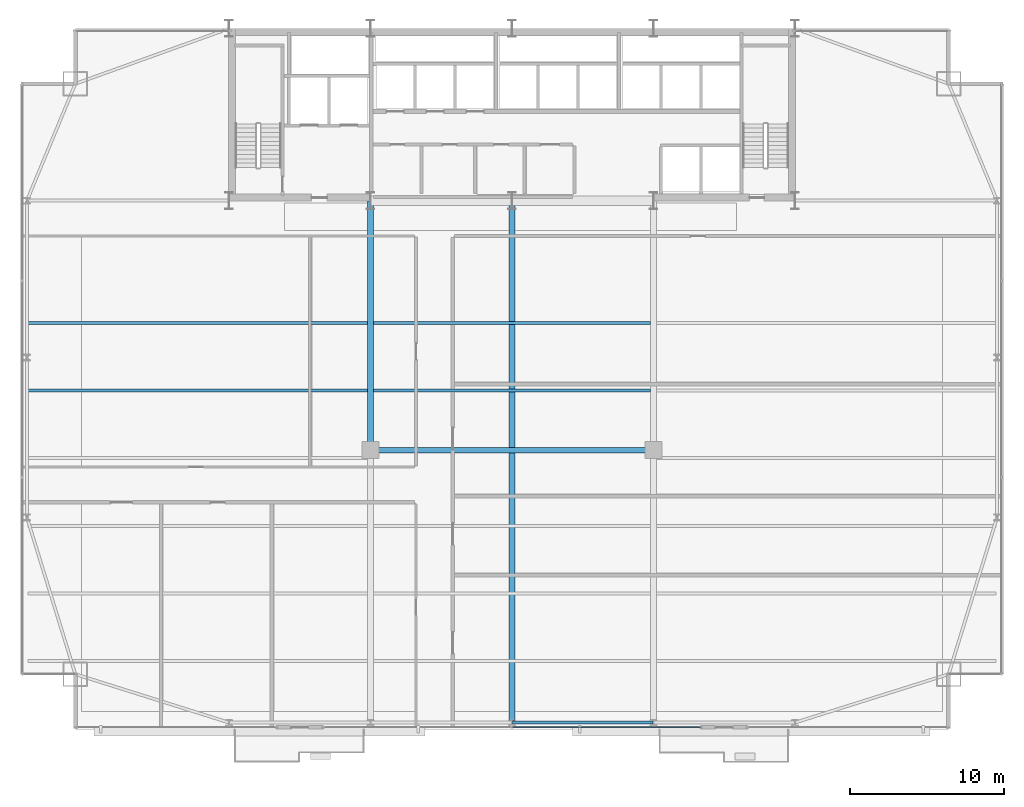
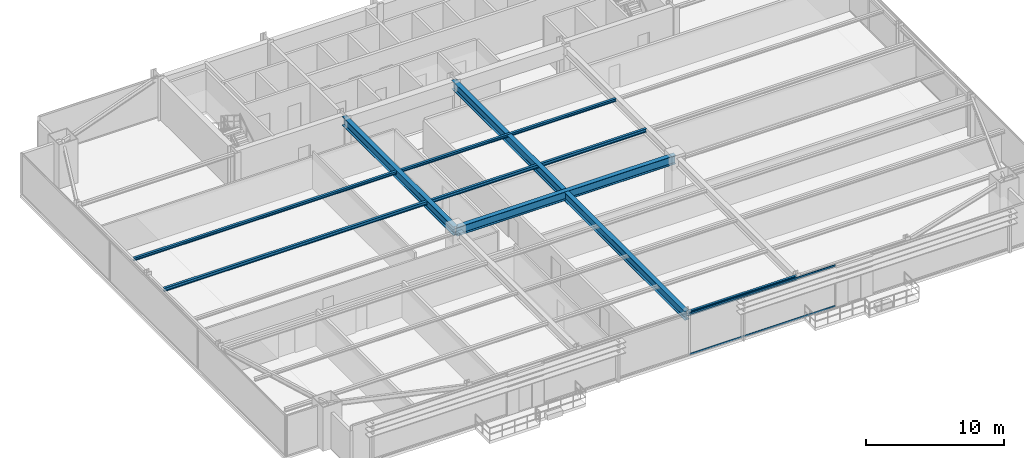
# One storey, part 11 of 29: 8 beams, 2 members, 1 element without a shape of its own.
"""IFC4 building model written with IfcOpenShell, lengths in metres."""

import ifcopenshell
import ifcopenshell.guid

model = None  # the IFC model being written
_history = None  # IfcOwnerHistory: only IFC2X3 demands one
_inside = {}  # id of a spatial element -> (the spatial element, [elements in it])
_under = {}  # id of a project, library or spatial element -> (it, [spatial elements below it])
_declared = {}  # id of a project -> (the project, [libraries it declares])
_typed = {}  # id of a type object -> (the type object, [elements of that type])
_made_of = {}  # id of a material, layer set ... -> (it, [elements and type objects made of it])


def new_model(schema):
    """Start an empty IFC model of exactly this schema.

    Asked for "IFC4X3", IfcOpenShell would pick the latest addendum, in which some entities
    have other attributes; the version numbers below select the first issue.
    IFC2X3 requires an IfcOwnerHistory on every rooted entity: one is made here for all.
    """
    global model, _history
    if schema == "IFC4X3":
        model = ifcopenshell.file(schema_version=(4, 3, 0, 0))
    else:
        model = ifcopenshell.file(schema=schema)
    _inside.clear()
    _under.clear()
    _declared.clear()
    _typed.clear()
    _made_of.clear()
    _history = None
    if model.schema == "IFC2X3":
        org = make("IfcOrganization", Name="unknown")
        user = make(
            "IfcPersonAndOrganization",
            ThePerson=make("IfcPerson", FamilyName="unknown"),
            TheOrganization=org,
        )
        app = make(
            "IfcApplication",
            ApplicationDeveloper=org,
            Version="unknown",
            ApplicationFullName="unknown",
            ApplicationIdentifier="unknown",
        )
        _history = make(
            "IfcOwnerHistory",
            OwningUser=user,
            OwningApplication=app,
            ChangeAction="ADDED",
            CreationDate=0,
        )
    return model


def make(cls, **values):
    """One entity of the class cls with the attributes given. An attribute that is None is left unset."""
    return model.create_entity(
        cls, **{name: value for name, value in values.items() if value is not None}
    )


def rooted(cls, **values):
    """An entity with a GlobalId (a new one), such as an element, a storey or a relation."""
    return make(cls, GlobalId=ifcopenshell.guid.new(), OwnerHistory=_history, **values)


def si_unit(unit_type, name, prefix=None):
    """IfcSIUnit, for example si_unit("LENGTHUNIT", "METRE", prefix="MILLI")."""
    return make("IfcSIUnit", UnitType=unit_type, Prefix=prefix, Name=name)


def assignment(units):
    """IfcUnitAssignment: the units of a project."""
    return None if units is None else make("IfcUnitAssignment", Units=units)


def point(xyz):
    """IfcCartesianPoint."""
    return None if xyz is None else make("IfcCartesianPoint", Coordinates=xyz)


def direction(xyz):
    """IfcDirection."""
    return None if xyz is None else make("IfcDirection", DirectionRatios=xyz)


def frame(location, z_axis=None, x_axis=None):
    """IfcAxis2Placement3D, a coordinate frame: its origin and axes. An axis left out is left unset."""
    return make(
        "IfcAxis2Placement3D",
        Location=point(location),
        Axis=direction(z_axis),
        RefDirection=direction(x_axis),
    )


def frame_2d(location, x_axis=None):
    """IfcAxis2Placement2D, a coordinate frame in the plane: its origin and x axis."""
    return make(
        "IfcAxis2Placement2D", Location=point(location), RefDirection=direction(x_axis)
    )


def origin():
    """The frame at (0, 0, 0) with its axes left unset."""
    return frame((0.0, 0.0, 0.0))


def origin_2d():
    """The frame at (0, 0) in the plane with its x axis left unset."""
    return frame_2d((0.0, 0.0))


def place(relative_to, where):
    """IfcLocalPlacement: puts the frame where relative to a parent placement (None: the world)."""
    return make(
        "IfcLocalPlacement", PlacementRelTo=relative_to, RelativePlacement=where
    )


def context(
    kind, dimensions, precision=None, world=None, true_north=None, identifier=None
):
    """IfcGeometricRepresentationContext, for example the 3D "Model" context."""
    return make(
        "IfcGeometricRepresentationContext",
        ContextIdentifier=identifier,
        ContextType=kind,
        CoordinateSpaceDimension=dimensions,
        Precision=precision,
        WorldCoordinateSystem=world,
        TrueNorth=true_north,
    )


def subcontext(parent, identifier, kind, view, scale=None):
    """IfcGeometricRepresentationSubContext, for example "Body" below "Model"."""
    return make(
        "IfcGeometricRepresentationSubContext",
        ContextIdentifier=identifier,
        ContextType=kind,
        ParentContext=parent,
        TargetScale=scale,
        TargetView=view,
    )


def project(units=None, contexts=None):
    """IfcProject with its units and contexts."""
    return rooted(
        "IfcProject",
        Name="project",
        RepresentationContexts=contexts,
        UnitsInContext=assignment(units),
    )


def spatial(cls, under=None, at=None, **own):
    """A site, building, storey or space (cls), placed at a placement, below another one or the project."""
    s = rooted(cls, ObjectPlacement=at, **own)
    if under is not None:
        _under.setdefault(under.id(), (under, []))[1].append(s)
    return s


def profile(cls, at=None, kind="AREA", **sizes):
    """A parametric profile (cls). Its sizes go by their IFC names, for example OverallWidth=200.0."""
    return make(cls, ProfileType=kind, Position=at, **sizes)


def hollow_rectangle(**sizes):
    """IfcRectangleHollowProfileDef."""
    return profile("IfcRectangleHollowProfileDef", **sizes)


def i_section(**sizes):
    """IfcIShapeProfileDef."""
    return profile("IfcIShapeProfileDef", **sizes)


def extrude(swept, where, along, depth):
    """IfcExtrudedAreaSolid: the profile swept, set in the frame where, extruded along a direction by depth."""
    return make(
        "IfcExtrudedAreaSolid",
        SweptArea=swept,
        Position=where,
        ExtrudedDirection=direction(along),
        Depth=depth,
    )


def shape(context_of_items, identifier, shape_type, items):
    """IfcShapeRepresentation: the items that make up one representation, for example the "Body"."""
    return make(
        "IfcShapeRepresentation",
        ContextOfItems=context_of_items,
        RepresentationIdentifier=identifier,
        RepresentationType=shape_type,
        Items=items,
    )


def source(mapping_origin, context_of_items, identifier, shape_type, items):
    """IfcRepresentationMap: a shape defined once, which mapped items show again and again."""
    return make(
        "IfcRepresentationMap",
        MappingOrigin=mapping_origin,
        MappedRepresentation=shape(context_of_items, identifier, shape_type, items),
    )


def transform(
    local_origin,
    x_axis=None,
    y_axis=None,
    z_axis=None,
    scale=None,
    scale2=None,
    scale3=None,
    uniform=True,
):
    """IfcCartesianTransformationOperator3D, or its non-uniform kind. x_axis, y_axis, z_axis: its Axis1, 2, 3."""
    if uniform:
        return make(
            "IfcCartesianTransformationOperator3D",
            Axis1=direction(x_axis),
            Axis2=direction(y_axis),
            LocalOrigin=point(local_origin),
            Scale=scale,
            Axis3=direction(z_axis),
        )
    return make(
        "IfcCartesianTransformationOperator3DnonUniform",
        Axis1=direction(x_axis),
        Axis2=direction(y_axis),
        LocalOrigin=point(local_origin),
        Scale=scale,
        Axis3=direction(z_axis),
        Scale2=scale2,
        Scale3=scale3,
    )


def mapped(mapping_source, mapping_target):
    """IfcMappedItem: shows the shape of a source again, moved by a transform."""
    return make(
        "IfcMappedItem", MappingSource=mapping_source, MappingTarget=mapping_target
    )


def material(Name=None, Category=None):
    """IfcMaterial."""
    return make("IfcMaterial", Name=Name, Category=Category)


def layer(
    of_material, thickness, ventilated=None, Name=None, Category=None, Priority=None
):
    """IfcMaterialLayer: one layer of a wall or slab, of a material (None: an air gap)."""
    return make(
        "IfcMaterialLayer",
        Material=of_material,
        LayerThickness=thickness,
        IsVentilated=ventilated,
        Name=Name,
        Category=Category,
        Priority=Priority,
    )


def layer_set(layers, Name=None):
    """IfcMaterialLayerSet."""
    return make("IfcMaterialLayerSet", MaterialLayers=layers, LayerSetName=Name)


def material_profile(
    of_material, cross_section, Name=None, Category=None, Priority=None
):
    """IfcMaterialProfile: a cross section and its material."""
    return make(
        "IfcMaterialProfile",
        Name=Name,
        Material=of_material,
        Profile=cross_section,
        Priority=Priority,
        Category=Category,
    )


def profile_set(profiles, Name=None, composite=None):
    """IfcMaterialProfileSet."""
    return make(
        "IfcMaterialProfileSet",
        Name=Name,
        MaterialProfiles=profiles,
        CompositeProfile=composite,
    )


def made_of(thing, what):
    """Note that an element or type object is made of a material, layer set ...; save() writes the relation."""
    if what is not None:
        _made_of.setdefault(what.id(), (what, []))[1].append(thing)
    return thing


def type_object(cls, material=None, **own):
    """A type object (cls), such as IfcWallType, which elements share."""
    return made_of(rooted(cls, **own), material)


def type_shapes(of_type, sources):
    """Give a type object the sources (RepresentationMaps) that its elements show as mapped items."""
    of_type.RepresentationMaps = sources


def element(
    cls,
    number,
    at=None,
    inside=None,
    cuts=None,
    type_object=None,
    material=None,
    context=None,
    identifier="Body",
    shape_type=None,
    held_by="IfcProductDefinitionShape",
    body=None,
    shapes=None,
    **own,
):
    """One element of the class cls, such as IfcWall. Its Tag is "e" and its number.

    at: its placement. inside: the storey or other place that contains it. cuts: it is an
    opening in that element (IfcRelVoidsElement). A single representation is given by context,
    identifier, shape_type and body (its items); several are given by shapes. held_by: the class
    of the entity that holds the representations. save() writes the other relations.
    """
    e = rooted(cls, Tag="e%d" % number, ObjectPlacement=at, **own)
    if body is not None:
        shapes = [shape(context, identifier, shape_type, body)]
    if shapes is not None:
        e.Representation = make(held_by, Representations=shapes)
    if inside is not None:
        _inside.setdefault(inside.id(), (inside, []))[1].append(e)
    if cuts is not None:
        rooted(
            "IfcRelVoidsElement", RelatingBuildingElement=cuts, RelatedOpeningElement=e
        )
    if type_object is not None:
        _typed.setdefault(type_object.id(), (type_object, []))[1].append(e)
    return made_of(e, material)


def aggregate(whole, parts):
    """IfcRelAggregates: a whole, such as a stair, and the parts it consists of."""
    return rooted("IfcRelAggregates", RelatingObject=whole, RelatedObjects=parts)


def save(model, path):
    """Write the relations noted so far, then the file.

    IfcRelAggregates (storeys below a building ...), IfcRelContainedInSpatialStructure (elements
    in a storey), IfcRelDefinesByType, IfcRelAssociatesMaterial and IfcRelDeclares: one each for
    every whole, place, type object, material and project.
    """
    for whole, parts in _under.values():
        aggregate(whole, parts)
    for where, things in _inside.values():
        rooted(
            "IfcRelContainedInSpatialStructure",
            RelatedElements=things,
            RelatingStructure=where,
        )
    for kind, things in _typed.values():
        rooted("IfcRelDefinesByType", RelatedObjects=things, RelatingType=kind)
    for what, things in _made_of.values():
        rooted("IfcRelAssociatesMaterial", RelatedObjects=things, RelatingMaterial=what)
    for by, libraries in _declared.values():
        rooted("IfcRelDeclares", RelatingContext=by, RelatedDefinitions=libraries)
    model.write(path)


model = new_model("IFC4")

# Units and contexts
model_context = context("Model", 3, precision=1e-05, world=origin(), true_north=direction((0.0, 1.0)))
body_context = subcontext(model_context, "Body", "Model", "MODEL_VIEW")
ifc_project = project(units=[si_unit("LENGTHUNIT", "METRE"), si_unit("AREAUNIT", "SQUARE_METRE"), si_unit("VOLUMEUNIT", "CUBIC_METRE"), si_unit("PLANEANGLEUNIT", "RADIAN"), si_unit("MASSUNIT", "GRAM", prefix="KILO")], contexts=[model_context])

# Site, building, storey
site_placement = place(None, origin())
site = spatial("IfcSite", under=ifc_project, at=site_placement, CompositionType="ELEMENT")
building_placement = place(site_placement, origin())
building = spatial("IfcBuilding", under=site, at=building_placement, Name="Varnel Quay Broadcast Tower", CompositionType="ELEMENT")
storey_placement = place(building_placement, frame((0.0, 0.0, 74.39990234375)))
storey = spatial("IfcBuildingStorey", under=building, at=storey_placement, Name="L17", CompositionType="ELEMENT", Elevation=74.39990234375)

# Beams
ifc_material_1 = material(Name="Structural Steel CSA G40.21 350W", Category="steel")
ifc_material_profile_1 = material_profile(ifc_material_1, i_section(OverallWidth=0.180908203125, OverallDepth=0.4169921875, WebThickness=0.010986328125, FlangeThickness=0.018310546875, FilletRadius=0.011962890625, at=origin_2d()), Name="W410X85")
ifc_profile_set_1 = profile_set([ifc_material_profile_1], Name="Structural Steel CSA G40.21 350W")
beam_type_1 = type_object("IfcBeamType", Name="Beam_W410X85", PredefinedType="SPANDREL", material=ifc_profile_set_1)
shared_shape_1 = source(origin(), body_context, "Body", "SweptSolid", [
    extrude(i_section(OverallWidth=0.180908203125, OverallDepth=0.4169921875, WebThickness=0.010986328125, FlangeThickness=0.018310546875, FilletRadius=0.011962890625, at=origin_2d()), origin(), (0.0, 0.0, 1.0), 9.159912109375),
])
type_shapes(beam_type_1, [shared_shape_1])
beam_1_placement = place(storey_placement, frame((34.02001953125, 1.64990234375, 3.441650390625), z_axis=(1.0, 0.0, 0.0), x_axis=(0.0, 1.0, 0.0)))
element("IfcBeam", 1, at=beam_1_placement, inside=storey, type_object=beam_type_1, Name="L17 South Spandrel TC-S3-TC-S4", PredefinedType="SPANDREL", context=body_context, shape_type="MappedRepresentation", body=[
    mapped(shared_shape_1, transform((0.0, 0.0, 0.0), x_axis=(1.0, 0.0, 0.0), y_axis=(0.0, 1.0, 0.0), z_axis=(0.0, 0.0, 1.0), scale=1.0)),
])
ifc_material_profile_2 = material_profile(ifc_material_1, i_section(OverallWidth=0.381103515625, OverallDepth=0.77294921875, WebThickness=0.0166015625, FlangeThickness=0.027587890625, FilletRadius=0.01806640625, at=origin_2d()), Name="W760X257")
ifc_profile_set_2 = profile_set([ifc_material_profile_2], Name="Structural Steel CSA G40.21 350W")
beam_type_2 = type_object("IfcBeamType", Name="Girder_W760X257", PredefinedType="BEAM", material=ifc_profile_set_2)
shared_shape_2 = source(origin(), body_context, "Body", "SweptSolid", [
    extrude(i_section(OverallWidth=0.381103515625, OverallDepth=0.77294921875, WebThickness=0.0166015625, FlangeThickness=0.027587890625, FilletRadius=0.01806640625, at=origin_2d()), origin(), (0.0, 0.0, 1.0), 16.190185546875),
])
beam_2_placement = place(storey_placement, frame((24.800048828125, 19.389892578125, 3.263671875), z_axis=(0.0, 1.0, 0.0), x_axis=(-1.0, 0.0, 0.0)))
element("IfcBeam", 2, at=beam_2_placement, inside=storey, type_object=beam_type_2, Name="L17 Primary Girder IC-01-CC-S2", PredefinedType="BEAM", context=body_context, shape_type="MappedRepresentation", body=[
    mapped(shared_shape_2, transform((0.0, 0.0, 0.0), x_axis=(1.0, 0.0, 0.0), y_axis=(0.0, 1.0, 0.0), z_axis=(0.0, 0.0, 1.0), scale=1.0)),
])
shared_shape_3 = source(origin(), body_context, "Body", "SweptSolid", [
    extrude(i_section(OverallWidth=0.381103515625, OverallDepth=0.77294921875, WebThickness=0.0166015625, FlangeThickness=0.027587890625, FilletRadius=0.01806640625, at=origin_2d()), origin(), (0.0, 0.0, 1.0), 18.35986328125),
])
beam_3_placement = place(storey_placement, frame((24.820068359375, 19.3701171875, 3.263671875), z_axis=(1.0, 0.0, 0.0), x_axis=(0.0, 1.0, 0.0)))
element("IfcBeam", 3, at=beam_3_placement, inside=storey, type_object=beam_type_2, Name="L17 Interior Spine Girder", PredefinedType="BEAM", context=body_context, shape_type="MappedRepresentation", body=[
    mapped(shared_shape_3, transform((0.0, 0.0, 0.0), x_axis=(1.0, 0.0, 0.0), y_axis=(0.0, 1.0, 0.0), z_axis=(0.0, 0.0, 1.0), scale=1.0)),
])
shared_shape_4 = source(origin(), body_context, "Body", "SweptSolid", [
    extrude(i_section(OverallWidth=0.381103515625, OverallDepth=0.77294921875, WebThickness=0.0166015625, FlangeThickness=0.027587890625, FilletRadius=0.01806640625, at=origin_2d()), origin(), (0.0, 0.0, 1.0), 33.91015625),
])
type_shapes(beam_type_2, [shared_shape_2, shared_shape_3, shared_shape_4])
beam_4_placement = place(storey_placement, frame((34.0, 1.669921875, 3.263671875), z_axis=(0.0, 1.0, 0.0), x_axis=(-1.0, 0.0, 0.0)))
element("IfcBeam", 4, at=beam_4_placement, inside=storey, type_object=beam_type_2, Name="L17 Central Bay Girder", PredefinedType="BEAM", context=body_context, shape_type="MappedRepresentation", body=[
    mapped(shared_shape_4, transform((0.0, 0.0, 0.0), x_axis=(1.0, 0.0, 0.0), y_axis=(0.0, 1.0, 0.0), z_axis=(0.0, 0.0, 1.0), scale=1.0)),
])
ifc_material_profile_3 = material_profile(ifc_material_1, i_section(OverallWidth=0.202880859375, OverallDepth=0.302978515625, WebThickness=0.007568359375, FlangeThickness=0.01318359375, FilletRadius=0.011962890625, at=origin_2d()), Name="W310X60")
ifc_profile_set_3 = profile_set([ifc_material_profile_3], Name="Structural Steel CSA G40.21 350W")
beam_type_3 = type_object("IfcBeamType", Name="Beam_W310X60", PredefinedType="JOIST", material=ifc_profile_set_3)
shared_shape_5 = source(origin(), body_context, "Body", "SweptSolid", [
    extrude(i_section(OverallWidth=0.202880859375, OverallDepth=0.302978515625, WebThickness=0.007568359375, FlangeThickness=0.01318359375, FilletRadius=0.011962890625, at=origin_2d()), origin(), (0.0, 0.0, 1.0), 22.0791015625),
])
beam_5_placement = place(storey_placement, frame((2.535400390625, 23.25, 3.49853515625), z_axis=(1.0, 0.0, 0.0), x_axis=(0.0, 1.0, 0.0)))
element("IfcBeam", 5, at=beam_5_placement, inside=storey, type_object=beam_type_3, Name="L17 West Floor Joist 5", PredefinedType="JOIST", context=body_context, shape_type="MappedRepresentation", body=[
    mapped(shared_shape_5, transform((0.0, 0.0, 0.0), x_axis=(1.0, 0.0, 0.0), y_axis=(0.0, 1.0, 0.0), z_axis=(0.0, 0.0, 1.0), scale=1.0)),
])
shared_shape_6 = source(origin(), body_context, "Body", "SweptSolid", [
    extrude(i_section(OverallWidth=0.202880859375, OverallDepth=0.302978515625, WebThickness=0.007568359375, FlangeThickness=0.01318359375, FilletRadius=0.011962890625, at=origin_2d()), origin(), (0.0, 0.0, 1.0), 18.02880859375),
])
type_shapes(beam_type_3, [shared_shape_5, shared_shape_6])
beam_6_placement = place(storey_placement, frame((24.985595703125, 23.25, 3.49853515625), z_axis=(1.0, 0.0, 0.0), x_axis=(0.0, 1.0, 0.0)))
element("IfcBeam", 6, at=beam_6_placement, inside=storey, type_object=beam_type_3, Name="L17 Central Floor Joist 5", PredefinedType="JOIST", context=body_context, shape_type="MappedRepresentation", body=[
    mapped(shared_shape_6, transform((0.0, 0.0, 0.0), x_axis=(1.0, 0.0, 0.0), y_axis=(0.0, 1.0, 0.0), z_axis=(0.0, 0.0, 1.0), scale=1.0)),
])
ifc_material_profile_4 = material_profile(ifc_material_1, i_section(OverallWidth=0.201904296875, OverallDepth=0.2470703125, WebThickness=0.00732421875, FlangeThickness=0.010986328125, FilletRadius=0.010986328125, at=origin_2d()), Name="W250X49")
ifc_profile_set_4 = profile_set([ifc_material_profile_4], Name="Structural Steel CSA G40.21 350W")
beam_type_4 = type_object("IfcBeamType", Name="Beam_W250X49", PredefinedType="JOIST", material=ifc_profile_set_4)
shared_shape_7 = source(origin(), body_context, "Body", "SweptSolid", [
    extrude(i_section(OverallWidth=0.201904296875, OverallDepth=0.2470703125, WebThickness=0.00732421875, FlangeThickness=0.010986328125, FilletRadius=0.010986328125, at=origin_2d()), origin(), (0.0, 0.0, 1.0), 22.0791015625),
])
beam_7_placement = place(storey_placement, frame((2.535400390625, 27.64990234375, 3.526611328125), z_axis=(1.0, 0.0, 0.0), x_axis=(0.0, 1.0, 0.0)))
element("IfcBeam", 7, at=beam_7_placement, inside=storey, type_object=beam_type_4, Name="L17 West Floor Joist 6", PredefinedType="JOIST", context=body_context, shape_type="MappedRepresentation", body=[
    mapped(shared_shape_7, transform((0.0, 0.0, 0.0), x_axis=(1.0, 0.0, 0.0), y_axis=(0.0, 1.0, 0.0), z_axis=(0.0, 0.0, 1.0), scale=1.0)),
])
shared_shape_8 = source(origin(), body_context, "Body", "SweptSolid", [
    extrude(i_section(OverallWidth=0.201904296875, OverallDepth=0.2470703125, WebThickness=0.00732421875, FlangeThickness=0.010986328125, FilletRadius=0.010986328125, at=origin_2d()), origin(), (0.0, 0.0, 1.0), 18.02880859375),
])
type_shapes(beam_type_4, [shared_shape_7, shared_shape_8])
beam_8_placement = place(storey_placement, frame((24.985595703125, 27.64990234375, 3.526611328125), z_axis=(1.0, 0.0, 0.0), x_axis=(0.0, 1.0, 0.0)))
element("IfcBeam", 8, at=beam_8_placement, inside=storey, type_object=beam_type_4, Name="L17 Central Floor Joist 6", PredefinedType="JOIST", context=body_context, shape_type="MappedRepresentation", body=[
    mapped(shared_shape_8, transform((0.0, 0.0, 0.0), x_axis=(1.0, 0.0, 0.0), y_axis=(0.0, 1.0, 0.0), z_axis=(0.0, 0.0, 1.0), scale=1.0)),
])

# Curtain wall, members
ifc_material_2 = material(Name="Anodised Bronze Aluminium 6063-T6", Category="aluminium")
ifc_layer = layer(ifc_material_2, 0.18994140625, Name="Anodised Bronze Aluminium 6063-T6")
ifc_layer_set = layer_set([ifc_layer], Name="Anodised Bronze Aluminium 6063-T6")
curtain_wall_type = type_object("IfcCurtainWallType", Name="CW_LowerTower", PredefinedType="NOTDEFINED", material=ifc_layer_set)
curtain_wall_placement = place(storey_placement, origin())
curtain_wall = element("IfcCurtainWall", 9, at=curtain_wall_placement, inside=storey, type_object=curtain_wall_type, Name="L17 South Unitised Curtain Wall 2", PredefinedType="NOTDEFINED")
ifc_material_profile_5 = material_profile(ifc_material_2, hollow_rectangle(XDim=0.06005859375, YDim=0.14501953125, WallThickness=0.00341796875, at=origin_2d()), Name="ALU60X145X3.5")
ifc_profile_set_5 = profile_set([ifc_material_profile_5], Name="Anodised Bronze Aluminium 6063-T6")
member_type = type_object("IfcMemberType", Name="Tran_CWS-02", PredefinedType="USERDEFINED", material=ifc_profile_set_5)
shared_shape_9 = source(origin(), body_context, "Body", "SweptSolid", [
    extrude(hollow_rectangle(XDim=0.06005859375, YDim=0.14501953125, WallThickness=0.00341796875, at=origin_2d()), origin(), (0.0, 0.0, 1.0), 12.215087890625),
])
type_shapes(member_type, [shared_shape_9])
member_1_placement = place(storey_placement, frame((34.034912109375, 1.35009765625, 0.030029296875), z_axis=(1.0, 0.0, 0.0), x_axis=(0.0, 1.0, 0.0)))
member_1 = element("IfcMember", 10, at=member_1_placement, type_object=member_type, Name="CWS-02 transom 2.1", ObjectType="TRANSOM", PredefinedType="USERDEFINED", context=body_context, shape_type="MappedRepresentation", body=[
    mapped(shared_shape_9, transform((0.0, 0.0, 0.0), x_axis=(1.0, 0.0, 0.0), y_axis=(0.0, 1.0, 0.0), z_axis=(0.0, 0.0, 1.0), scale=1.0)),
])
member_2_placement = place(storey_placement, frame((34.034912109375, 1.35009765625, 3.6201171875), z_axis=(1.0, 0.0, 0.0), x_axis=(0.0, 1.0, 0.0)))
member_2 = element("IfcMember", 11, at=member_2_placement, type_object=member_type, Name="CWS-02 transom 2.2", ObjectType="TRANSOM", PredefinedType="USERDEFINED", context=body_context, shape_type="MappedRepresentation", body=[
    mapped(shared_shape_9, transform((0.0, 0.0, 0.0), x_axis=(1.0, 0.0, 0.0), y_axis=(0.0, 1.0, 0.0), z_axis=(0.0, 0.0, 1.0), scale=1.0)),
])
aggregate(curtain_wall, [member_1, member_2])

save(model, "model.ifc")
